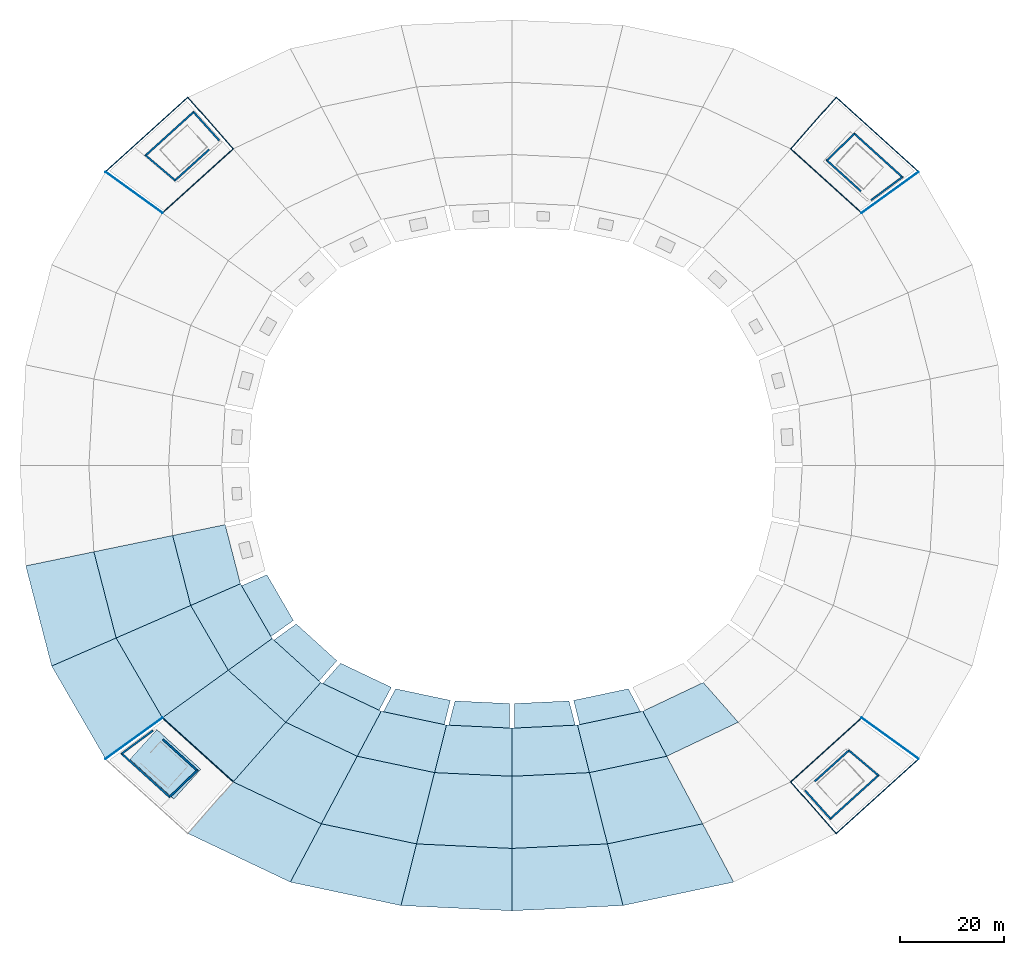
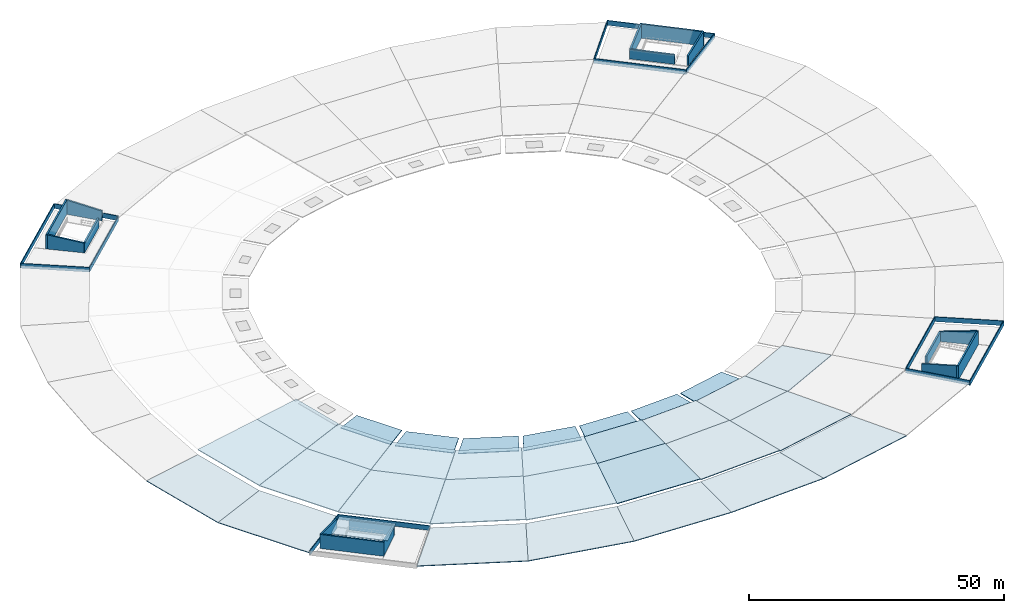
# One storey, part 2 of 5: 32 roofs, 30 walls.
"""IFC4 building model written with IfcOpenShell, lengths in metres."""

from ifc_helpers import new_model, si_unit, direction, frame, frame_2d, origin, place, context, subcontext, project, spatial, polyline, rectangle, outline, extrude, material, layer, layer_set, type_object, element, save


model = new_model("IFC4")

# Units and contexts
model_context = context("Model", 3, precision=1e-05, world=origin(), true_north=direction((0.0, 1.0)))
body_context = subcontext(model_context, "Body", "Model", "MODEL_VIEW")
ifc_project = project(units=[si_unit("LENGTHUNIT", "METRE"), si_unit("AREAUNIT", "SQUARE_METRE"), si_unit("VOLUMEUNIT", "CUBIC_METRE"), si_unit("PLANEANGLEUNIT", "RADIAN"), si_unit("MASSUNIT", "GRAM", prefix="KILO")], contexts=[model_context])

# Site, building, storey
site_placement = place(None, origin())
site = spatial("IfcSite", under=ifc_project, at=site_placement, CompositionType="ELEMENT")
building_placement = place(site_placement, origin())
building = spatial("IfcBuilding", under=site, at=building_placement, Name="Kazemori Nagisa Stadium", CompositionType="ELEMENT")
storey_placement = place(building_placement, frame((0.0, 0.0, 42.159912109375)))
storey = spatial("IfcBuildingStorey", under=building, at=storey_placement, Name="ROOF", CompositionType="ELEMENT", Elevation=42.159912109375)

# Walls
ifc_material_1 = material(Name="Concrete C40/50 (Fc42)", Category="concrete")
ifc_layer_1 = layer(ifc_material_1, 0.35009765625, Name="Concrete C40/50 (Fc42)", Category="concrete")
ifc_layer_set_1 = layer_set([ifc_layer_1], Name="Concrete C40/50 (Fc42)")
wall_type_1 = type_object("IfcWallType", Name="Wall_W-CORE-350", PredefinedType="SHEAR", material=ifc_layer_set_1)
wall_1_placement = place(storey_placement, frame((190.39453125, 154.92236328125, 0.0), z_axis=(0.0, 0.0, 1.0), x_axis=(-0.741350170539, 0.671118413279, 0.0)))
element("IfcWall", 1, at=wall_1_placement, inside=storey, type_object=wall_type_1, Name="Core stair front shear wall ST01 ROOF", PredefinedType="SHEAR", context=body_context, shape_type="SweptSolid", body=[
    extrude(rectangle(XDim=9.0693359375, YDim=0.35009765625, at=frame_2d((4.53466796875, 0.0))), origin(), (0.0, 0.0, 1.0), 2.2939453125),
])
wall_2_placement = place(storey_placement, frame((198.499267578125, 157.548095703125, 0.0), z_axis=(0.0, 0.0, 1.0), x_axis=(-0.741351373721, 0.671117084183, 0.0)))
element("IfcWall", 2, at=wall_2_placement, inside=storey, type_object=wall_type_1, Name="Core stair rear shear wall ST01 ROOF", PredefinedType="SHEAR", context=body_context, shape_type="SweptSolid", body=[
    extrude(rectangle(XDim=12.830322265625, YDim=0.35009765625, at=frame_2d((6.4150390625, 0.0))), origin(), (0.0, 0.0, 1.0), 3.360107421875),
])
wall_3_placement = place(storey_placement, frame((192.308837890625, 153.189453125, 0.0), z_axis=(0.0, 0.0, 1.0), x_axis=(0.804395625347, 0.594093997548, 0.0)))
element("IfcWall", 3, at=wall_3_placement, inside=storey, type_object=wall_type_1, Name="Core stair left shear wall ST01 ROOF", PredefinedType="SHEAR", context=body_context, shape_type="SweptSolid", body=[
    extrude(outline(polyline([(0.0, 0.0), (7.5341796875, 0.0), (7.5341796875, 3.360107421875), (7.18701171875, 3.360107421875), (0.0, 2.314697265625), (0.0, 0.0)])), frame((0.0, 0.175048828125, 0.0), z_axis=(0.0, -1.0, 0.0), x_axis=(1.0, 0.0, 0.0)), (0.0, 0.0, 1.0), 0.35009765625),
])
wall_4_placement = place(storey_placement, frame((183.800537109375, 160.8916015625, 0.0), z_axis=(0.0, 0.0, 1.0), x_axis=(0.718297398554, 0.69573619083, 0.0)))
element("IfcWall", 4, at=wall_4_placement, inside=storey, type_object=wall_type_1, Name="Core stair right shear wall ST01 ROOF", PredefinedType="SHEAR", context=body_context, shape_type="SweptSolid", body=[
    extrude(outline(polyline([(0.0, 0.0), (7.40185546875, 0.0), (7.40185546875, 3.360107421875), (7.037353515625, 3.360107421875), (0.0, 2.318115234375), (0.0, 0.0)])), frame((0.0, 0.175048828125, 0.0), z_axis=(0.0, -1.0, 0.0), x_axis=(1.0, 0.0, 0.0)), (0.0, 0.0, 1.0), 0.35009765625),
])
wall_5_placement = place(storey_placement, frame((64.539306640625, 163.009765625, 0.0), z_axis=(0.0, 0.0, 1.0), x_axis=(-0.741350170539, -0.671118413279, 0.0)))
element("IfcWall", 5, at=wall_5_placement, inside=storey, type_object=wall_type_1, Name="Core stair front shear wall ST02 ROOF", PredefinedType="SHEAR", context=body_context, shape_type="SweptSolid", body=[
    extrude(rectangle(XDim=9.0693359375, YDim=0.35009765625, at=frame_2d((4.53466796875, 0.0))), origin(), (0.0, 0.0, 1.0), 2.2939453125),
])
wall_6_placement = place(storey_placement, frame((61.638671875, 170.3466796875, 0.0), z_axis=(0.0, 0.0, 1.0), x_axis=(-0.741351373721, -0.671117084183, 0.0)))
element("IfcWall", 6, at=wall_6_placement, inside=storey, type_object=wall_type_1, Name="Core stair rear shear wall ST02 ROOF", PredefinedType="SHEAR", context=body_context, shape_type="SweptSolid", body=[
    extrude(rectangle(XDim=12.830322265625, YDim=0.35009765625, at=frame_2d((6.4150390625, 0.0))), origin(), (0.0, 0.0, 1.0), 3.360107421875),
])
wall_7_placement = place(storey_placement, frame((66.45361328125, 164.74267578125, 0.0), z_axis=(0.0, 0.0, 1.0), x_axis=(-0.669463145673, 0.742845270958, 0.0)))
element("IfcWall", 7, at=wall_7_placement, inside=storey, type_object=wall_type_1, Name="Core stair left shear wall ST02 ROOF", PredefinedType="SHEAR", context=body_context, shape_type="SweptSolid", body=[
    extrude(outline(polyline([(0.0, 0.0), (7.385986328125, 0.0), (7.385986328125, 3.360107421875), (7.01123046875, 3.360107421875), (0.0, 2.31982421875), (0.0, 0.0)])), frame((0.0, 0.175048828125, 0.0), z_axis=(0.0, -1.0, 0.0), x_axis=(1.0, 0.0, 0.0)), (0.0, 0.0, 1.0), 0.35009765625),
])
wall_8_placement = place(storey_placement, frame((57.9453125, 157.04052734375, 0.0), z_axis=(0.0, 0.0, 1.0), x_axis=(-0.763422324031, 0.64589964791, 0.0)))
element("IfcWall", 8, at=wall_8_placement, inside=storey, type_object=wall_type_1, Name="Core stair right shear wall ST02 ROOF", PredefinedType="SHEAR", context=body_context, shape_type="SweptSolid", body=[
    extrude(outline(polyline([(0.0, 0.0), (7.45166015625, 0.0), (7.45166015625, 3.360107421875), (7.096435546875, 3.360107421875), (0.0, 2.31640625), (0.0, 0.0)])), frame((0.0, 0.175048828125, 0.0), z_axis=(0.0, -1.0, 0.0), x_axis=(1.0, 0.0, 0.0)), (0.0, 0.0, 1.0), 0.35009765625),
])
wall_9_placement = place(storey_placement, frame((55.60546875, 49.07763671875, 0.0), z_axis=(0.0, 0.0, 1.0), x_axis=(0.741350170539, -0.671118413279, 0.0)))
element("IfcWall", 9, at=wall_9_placement, inside=storey, type_object=wall_type_1, Name="Core stair front shear wall ST03 ROOF", PredefinedType="SHEAR", context=body_context, shape_type="SweptSolid", body=[
    extrude(rectangle(XDim=9.0693359375, YDim=0.35009765625, at=frame_2d((4.53466796875, 0.0))), origin(), (0.0, 0.0, 1.0), 2.2939453125),
])
wall_10_placement = place(storey_placement, frame((47.500732421875, 46.451904296875, 0.0), z_axis=(0.0, 0.0, 1.0), x_axis=(0.741351373721, -0.671117084183, 0.0)))
element("IfcWall", 10, at=wall_10_placement, inside=storey, type_object=wall_type_1, Name="Core stair rear shear wall ST03 ROOF", PredefinedType="SHEAR", context=body_context, shape_type="SweptSolid", body=[
    extrude(rectangle(XDim=12.830322265625, YDim=0.35009765625, at=frame_2d((6.4150390625, 0.0))), origin(), (0.0, 0.0, 1.0), 3.360107421875),
])
wall_11_placement = place(storey_placement, frame((53.691162109375, 50.810546875, 0.0), z_axis=(0.0, 0.0, 1.0), x_axis=(-0.804395625347, -0.594093997548, 0.0)))
element("IfcWall", 11, at=wall_11_placement, inside=storey, type_object=wall_type_1, Name="Core stair left shear wall ST03 ROOF", PredefinedType="SHEAR", context=body_context, shape_type="SweptSolid", body=[
    extrude(outline(polyline([(0.0, 0.0), (7.5341796875, 0.0), (7.5341796875, 3.360107421875), (7.18701171875, 3.360107421875), (0.0, 2.314697265625), (0.0, 0.0)])), frame((0.0, 0.175048828125, 0.0), z_axis=(0.0, -1.0, 0.0), x_axis=(1.0, 0.0, 0.0)), (0.0, 0.0, 1.0), 0.35009765625),
])
wall_12_placement = place(storey_placement, frame((62.199462890625, 43.1083984375, 0.0), z_axis=(0.0, 0.0, 1.0), x_axis=(-0.718297398554, -0.69573619083, 0.0)))
element("IfcWall", 12, at=wall_12_placement, inside=storey, type_object=wall_type_1, Name="Core stair right shear wall ST03 ROOF", PredefinedType="SHEAR", context=body_context, shape_type="SweptSolid", body=[
    extrude(outline(polyline([(0.0, 0.0), (7.40185546875, 0.0), (7.40185546875, 3.360107421875), (7.037353515625, 3.360107421875), (0.0, 2.318115234375), (0.0, 0.0)])), frame((0.0, 0.175048828125, 0.0), z_axis=(0.0, -1.0, 0.0), x_axis=(1.0, 0.0, 0.0)), (0.0, 0.0, 1.0), 0.35009765625),
])
wall_13_placement = place(storey_placement, frame((181.460693359375, 40.990234375, 0.0), z_axis=(0.0, 0.0, 1.0), x_axis=(0.741350170539, 0.671118413279, 0.0)))
element("IfcWall", 13, at=wall_13_placement, inside=storey, type_object=wall_type_1, Name="Core stair front shear wall ST04 ROOF", PredefinedType="SHEAR", context=body_context, shape_type="SweptSolid", body=[
    extrude(rectangle(XDim=9.0693359375, YDim=0.35009765625, at=frame_2d((4.53466796875, 0.0))), origin(), (0.0, 0.0, 1.0), 2.2939453125),
])
wall_14_placement = place(storey_placement, frame((184.361328125, 33.6533203125, 0.0), z_axis=(0.0, 0.0, 1.0), x_axis=(0.741351373721, 0.671117084183, 0.0)))
element("IfcWall", 14, at=wall_14_placement, inside=storey, type_object=wall_type_1, Name="Core stair rear shear wall ST04 ROOF", PredefinedType="SHEAR", context=body_context, shape_type="SweptSolid", body=[
    extrude(rectangle(XDim=12.830322265625, YDim=0.35009765625, at=frame_2d((6.4150390625, 0.0))), origin(), (0.0, 0.0, 1.0), 3.360107421875),
])
wall_15_placement = place(storey_placement, frame((179.54638671875, 39.25732421875, 0.0), z_axis=(0.0, 0.0, 1.0), x_axis=(0.669463145673, -0.742845270958, 0.0)))
element("IfcWall", 15, at=wall_15_placement, inside=storey, type_object=wall_type_1, Name="Core stair left shear wall ST04 ROOF", PredefinedType="SHEAR", context=body_context, shape_type="SweptSolid", body=[
    extrude(outline(polyline([(0.0, 0.0), (7.385986328125, 0.0), (7.385986328125, 3.360107421875), (7.01123046875, 3.360107421875), (0.0, 2.31982421875), (0.0, 0.0)])), frame((0.0, 0.175048828125, 0.0), z_axis=(0.0, -1.0, 0.0), x_axis=(1.0, 0.0, 0.0)), (0.0, 0.0, 1.0), 0.35009765625),
])
wall_16_placement = place(storey_placement, frame((188.0546875, 46.95947265625, 0.0), z_axis=(0.0, 0.0, 1.0), x_axis=(0.763422324031, -0.64589964791, 0.0)))
element("IfcWall", 16, at=wall_16_placement, inside=storey, type_object=wall_type_1, Name="Core stair right shear wall ST04 ROOF", PredefinedType="SHEAR", context=body_context, shape_type="SweptSolid", body=[
    extrude(outline(polyline([(0.0, 0.0), (7.45166015625, 0.0), (7.45166015625, 3.360107421875), (7.096435546875, 3.360107421875), (0.0, 2.31640625), (0.0, 0.0)])), frame((0.0, 0.175048828125, 0.0), z_axis=(0.0, -1.0, 0.0), x_axis=(1.0, 0.0, 0.0)), (0.0, 0.0, 1.0), 0.35009765625),
])
ifc_material_2 = material(Name="Concrete C40/50 (Fc42) precast", Category="concrete")
ifc_layer_2 = layer(ifc_material_2, 0.14990234375, Name="Concrete C40/50 (Fc42) precast", Category="concrete")
ifc_layer_set_2 = layer_set([ifc_layer_2], Name="Concrete C40/50 (Fc42) precast")
wall_type_2 = type_object("IfcWallType", Name="Wall_W-PARA-150", PredefinedType="PARAPET", material=ifc_layer_set_2)
wall_17_placement = place(storey_placement, frame((190.506103515625, 150.734130859375, 0.0), z_axis=(0.0, 0.0, 1.0), x_axis=(0.810787509935, 0.585340596349, 0.0)))
element("IfcWall", 17, at=wall_17_placement, inside=storey, type_object=wall_type_2, Name="Headhouse roof parapet RF-B04-L", PredefinedType="PARAPET", context=body_context, shape_type="SweptSolid", body=[
    extrude(rectangle(XDim=13.5537109375, YDim=0.14990234375, at=frame_2d((6.77685546875, 0.0))), origin(), (0.0, 0.0, 1.0), 1.1201171875),
])
for number, where, z_axis, x_axis, name in (
    (18, (176.834228515625, 163.11083984375, 0.0), (0.0, 0.0, 1.0), (0.661019680997, 0.750368563664, 0.0), "Headhouse roof parapet RF-B04-R"),
    (19, (69.165771484375, 163.11083984375, 0.0), (0.0, 0.0, 1.0), (-0.661019680997, 0.750368563664, 0.0), "Headhouse roof parapet RF-B11-L"),
):
    element("IfcWall", number, at=place(storey_placement, frame(where, z_axis=z_axis, x_axis=x_axis)), inside=storey, type_object=wall_type_2, Name=name, PredefinedType="PARAPET", context=body_context, shape_type="SweptSolid", body=[
        extrude(rectangle(XDim=13.2578125, YDim=0.14990234375, at=frame_2d((6.62890625, 0.0))), origin(), (0.0, 0.0, 1.0), 1.1201171875),
    ])
for number, where, z_axis, x_axis, name in (
    (20, (55.493896484375, 150.734130859375, 0.0), (0.0, 0.0, 1.0), (-0.810787509935, 0.585340596349, 0.0), "Headhouse roof parapet RF-B11-R"),
    (21, (55.493896484375, 53.265869140625, 0.0), (0.0, 0.0, 1.0), (-0.810787509935, -0.585340596349, 0.0), "Headhouse roof parapet RF-B18-L"),
):
    element("IfcWall", number, at=place(storey_placement, frame(where, z_axis=z_axis, x_axis=x_axis)), inside=storey, type_object=wall_type_2, Name=name, PredefinedType="PARAPET", context=body_context, shape_type="SweptSolid", body=[
        extrude(rectangle(XDim=13.5537109375, YDim=0.14990234375, at=frame_2d((6.77685546875, 0.0))), origin(), (0.0, 0.0, 1.0), 1.1201171875),
    ])
wall_18_placement = place(storey_placement, frame((176.834228515625, 40.88916015625, 0.0), z_axis=(0.0, 0.0, 1.0), x_axis=(0.661019680997, -0.750368563664, 0.0)))
element("IfcWall", 22, at=wall_18_placement, inside=storey, type_object=wall_type_2, Name="Headhouse roof parapet RF-B25-L", PredefinedType="PARAPET", context=body_context, shape_type="SweptSolid", body=[
    extrude(rectangle(XDim=13.2578125, YDim=0.14990234375, at=frame_2d((6.62890625, 0.0))), origin(), (0.0, 0.0, 1.0), 1.1201171875),
])
wall_19_placement = place(storey_placement, frame((190.506103515625, 53.265869140625, 0.0), z_axis=(0.0, 0.0, 1.0), x_axis=(0.810787509935, -0.585340596349, 0.0)))
element("IfcWall", 23, at=wall_19_placement, inside=storey, type_object=wall_type_2, Name="Headhouse roof parapet RF-B25-R", PredefinedType="PARAPET", context=body_context, shape_type="SweptSolid", body=[
    extrude(rectangle(XDim=13.5537109375, YDim=0.14990234375, at=frame_2d((6.77685546875, 0.0))), origin(), (0.0, 0.0, 1.0), 1.1201171875),
])
ifc_layer_3 = layer(ifc_material_2, 0.179931640625, Name="Concrete C40/50 (Fc42) precast", Category="concrete")
ifc_layer_set_3 = layer_set([ifc_layer_3], Name="Concrete C40/50 (Fc42) precast")
wall_type_3 = type_object("IfcWallType", Name="Wall_W-PARA-180", PredefinedType="PARAPET", material=ifc_layer_set_3)
wall_20_placement = place(storey_placement, frame((190.5615234375, 150.683837890625, 0.0), z_axis=(0.0, 0.0, 1.0), x_axis=(-0.741342553753, 0.671126827057, 0.0)))
element("IfcWall", 24, at=wall_20_placement, inside=storey, type_object=wall_type_3, Name="Headhouse roof parapet RF-B04-in", PredefinedType="PARAPET", context=body_context, shape_type="SweptSolid", body=[
    extrude(rectangle(XDim=18.591552734375, YDim=0.179931640625, at=frame_2d((9.2958984375, 0.0))), origin(), (0.0, 0.0, 1.0), 1.1201171875),
])
wall_21_placement = place(storey_placement, frame((201.551025390625, 158.6171875, 0.0), z_axis=(0.0, 0.0, 1.0), x_axis=(-0.741345309514, 0.671123782965, 0.0)))
element("IfcWall", 25, at=wall_21_placement, inside=storey, type_object=wall_type_3, Name="Headhouse roof parapet RF-B04-out", PredefinedType="PARAPET", context=body_context, shape_type="SweptSolid", body=[
    extrude(rectangle(XDim=21.593994140625, YDim=0.179931640625, at=frame_2d((10.796875, 0.0))), origin(), (0.0, 0.0, 1.0), 1.1201171875),
])
wall_22_placement = place(storey_placement, frame((69.22119140625, 163.1611328125, 0.0), z_axis=(0.0, 0.0, 1.0), x_axis=(-0.741342553753, -0.671126827057, 0.0)))
element("IfcWall", 26, at=wall_22_placement, inside=storey, type_object=wall_type_3, Name="Headhouse roof parapet RF-B11-in", PredefinedType="PARAPET", context=body_context, shape_type="SweptSolid", body=[
    extrude(rectangle(XDim=18.591552734375, YDim=0.179931640625, at=frame_2d((9.2958984375, 0.0))), origin(), (0.0, 0.0, 1.0), 1.1201171875),
])
wall_23_placement = place(storey_placement, frame((60.45751953125, 173.109375, 0.0), z_axis=(0.0, 0.0, 1.0), x_axis=(-0.741345309514, -0.671123782965, 0.0)))
element("IfcWall", 27, at=wall_23_placement, inside=storey, type_object=wall_type_3, Name="Headhouse roof parapet RF-B11-out", PredefinedType="PARAPET", context=body_context, shape_type="SweptSolid", body=[
    extrude(rectangle(XDim=21.593994140625, YDim=0.179931640625, at=frame_2d((10.796875, 0.0))), origin(), (0.0, 0.0, 1.0), 1.1201171875),
])
for number, where, z_axis, x_axis, name in (
    (28, (55.4384765625, 53.316162109375, 0.0), (0.0, 0.0, 1.0), (0.741342553753, -0.671126827057, 0.0), "Headhouse roof parapet RF-B18-in"),
    (29, (176.77880859375, 40.8388671875, 0.0), (0.0, 0.0, 1.0), (0.741342553753, 0.671126827057, 0.0), "Headhouse roof parapet RF-B25-in"),
):
    element("IfcWall", number, at=place(storey_placement, frame(where, z_axis=z_axis, x_axis=x_axis)), inside=storey, type_object=wall_type_3, Name=name, PredefinedType="PARAPET", context=body_context, shape_type="SweptSolid", body=[
        extrude(rectangle(XDim=18.591552734375, YDim=0.179931640625, at=frame_2d((9.2958984375, 0.0))), origin(), (0.0, 0.0, 1.0), 1.1201171875),
    ])
wall_24_placement = place(storey_placement, frame((185.54248046875, 30.890625, 0.0), z_axis=(0.0, 0.0, 1.0), x_axis=(0.741345309514, 0.671123782965, 0.0)))
element("IfcWall", 30, at=wall_24_placement, inside=storey, type_object=wall_type_3, Name="Headhouse roof parapet RF-B25-out", PredefinedType="PARAPET", context=body_context, shape_type="SweptSolid", body=[
    extrude(rectangle(XDim=21.593994140625, YDim=0.179931640625, at=frame_2d((10.796875, 0.0))), origin(), (0.0, 0.0, 1.0), 1.1201171875),
])

# Roofs
ifc_material_3 = material(Name="Steel S355 (SN490B)", Category="steel")
ifc_layer_4 = layer(ifc_material_3, 0.159912109375, Name="Steel S355 (SN490B)", Category="steel")
ifc_layer_set_4 = layer_set([ifc_layer_4], Name="Steel S355 (SN490B)")
roof_type = type_object("IfcRoofType", Name="Roof_RF-CANOPY", PredefinedType="FREEFORM", material=ifc_layer_set_4)
roof_1_placement = place(storey_placement, frame((54.43017578125, 50.991455078125, 2.39013671875), z_axis=(0.098497799083, 0.108806528187, 0.989171028185), x_axis=(0.741358588876, -0.671109113854, -1.149066e-06)))
element("IfcRoof", 31, at=roof_1_placement, inside=storey, type_object=roof_type, Name="Stair headhouse pitched roof ROOF-B18", PredefinedType="FREEFORM", context=body_context, shape_type="SweptSolid", body=[
    extrude(outline(polyline([(0.0, 0.0), (11.4338207163621, 0.0), (11.433814147982389, -7.834950317376819), (-0.00017041337820971537, -7.834771281597817), (0.0, 0.0)])), origin(), (0.0, 0.0, -1.0), 0.159912109375),
])
roof_2_placement = place(storey_placement, frame((0.0, 0.0, 0.43505859375)))
element("IfcRoof", 32, at=roof_2_placement, inside=storey, type_object=roof_type, Name="Canopy roof deck sector B16-outer", PredefinedType="FREEFORM", context=body_context, shape_type="SweptSolid", body=[
    extrude(outline(polyline([(29.119140625, 82.602294921875), (34.114990234375, 63.25048828125), (46.55908203125, 68.67529296875), (42.262451171875, 85.31787109375), (29.119140625, 82.602294921875)])), origin(), (0.0, 0.0, 1.0), 0.159912109375),
])
roof_3_placement = place(storey_placement, frame((0.0, 0.0, 1.68701171875)))
element("IfcRoof", 33, at=roof_3_placement, inside=storey, type_object=roof_type, Name="Canopy roof deck sector B16-mid", PredefinedType="FREEFORM", context=body_context, shape_type="SweptSolid", body=[
    extrude(outline(polyline([(42.262451171875, 85.31787109375), (46.55908203125, 68.67529296875), (60.958251953125, 74.952880859375), (57.47119140625, 88.46044921875), (42.262451171875, 85.31787109375)])), origin(), (0.0, 0.0, 1.0), 0.16015625),
])
roof_4_placement = place(storey_placement, frame((0.0, 0.0, 1.68701171875)))
element("IfcRoof", 34, at=roof_4_placement, inside=storey, type_object=roof_type, Name="Canopy roof deck sector B16-inner", PredefinedType="FREEFORM", context=body_context, shape_type="SweptSolid", body=[
    extrude(outline(polyline([(57.47119140625, 88.46044921875), (60.958251953125, 74.952880859375), (70.557861328125, 79.1376953125), (67.6103515625, 90.555419921875), (57.47119140625, 88.46044921875)])), origin(), (0.0, 0.0, 1.0), 0.16015625),
])
roof_5_placement = place(storey_placement, frame((0.0, 0.0, 0.43505859375)))
element("IfcRoof", 35, at=roof_5_placement, inside=storey, type_object=roof_type, Name="Canopy roof deck sector B17-outer", PredefinedType="FREEFORM", context=body_context, shape_type="SweptSolid", body=[
    extrude(outline(polyline([(34.114990234375, 63.25048828125), (44.504638671875, 45.332275390625), (55.493896484375, 53.265869140625), (46.55908203125, 68.67529296875), (34.114990234375, 63.25048828125)])), origin(), (0.0, 0.0, 1.0), 0.159912109375),
])
roof_6_placement = place(storey_placement, frame((0.0, 0.0, 1.633056640625)))
element("IfcRoof", 36, at=roof_6_placement, inside=storey, type_object=roof_type, Name="Canopy roof deck sector B17-mid", PredefinedType="FREEFORM", context=body_context, shape_type="SweptSolid", body=[
    extrude(outline(polyline([(46.55908203125, 68.67529296875), (55.493896484375, 53.265869140625), (68.210205078125, 62.446044921875), (60.958251953125, 74.952880859375), (46.55908203125, 68.67529296875)])), origin(), (0.0, 0.0, 1.0), 0.159912109375),
])
roof_7_placement = place(storey_placement, frame((0.0, 0.0, 1.633056640625)))
element("IfcRoof", 37, at=roof_7_placement, inside=storey, type_object=roof_type, Name="Canopy roof deck sector B17-inner", PredefinedType="FREEFORM", context=body_context, shape_type="SweptSolid", body=[
    extrude(outline(polyline([(60.958251953125, 74.952880859375), (68.210205078125, 62.446044921875), (76.687744140625, 68.566162109375), (70.557861328125, 79.1376953125), (60.958251953125, 74.952880859375)])), origin(), (0.0, 0.0, 1.0), 0.159912109375),
])
roof_8_placement = place(storey_placement, frame((0.0, 0.0, 0.841064453125)))
element("IfcRoof", 38, at=roof_8_placement, inside=storey, type_object=roof_type, Name="Canopy oculus roof deck B17", PredefinedType="FREEFORM", context=body_context, shape_type="SweptSolid", body=[
    extrude(outline(polyline([(75.67236328125, 80.879638671875), (80.779296875, 72.072021484375), (76.4619140625, 68.955322265625), (70.78369140625, 78.74853515625), (75.67236328125, 80.879638671875)])), origin(), (0.0, 0.0, 1.0), 0.159912109375),
])
roof_9_placement = place(storey_placement, frame((0.0, 0.0, 1.547119140625)))
element("IfcRoof", 39, at=roof_9_placement, inside=storey, type_object=roof_type, Name="Canopy roof deck sector B18-mid", PredefinedType="FREEFORM", context=body_context, shape_type="SweptSolid", body=[
    extrude(outline(polyline([(55.493896484375, 53.265869140625), (69.165771484375, 40.88916015625), (79.306640625, 52.40087890625), (68.210205078125, 62.446044921875), (55.493896484375, 53.265869140625)])), origin(), (0.0, 0.0, 1.0), 0.159912109375),
])
roof_10_placement = place(storey_placement, frame((0.0, 0.0, 1.547119140625)))
element("IfcRoof", 40, at=roof_10_placement, inside=storey, type_object=roof_type, Name="Canopy roof deck sector B18-inner", PredefinedType="FREEFORM", context=body_context, shape_type="SweptSolid", body=[
    extrude(outline(polyline([(68.210205078125, 62.446044921875), (79.306640625, 52.40087890625), (86.067138671875, 60.0751953125), (76.687744140625, 68.566162109375), (68.210205078125, 62.446044921875)])), origin(), (0.0, 0.0, 1.0), 0.159912109375),
])
roof_11_placement = place(storey_placement, frame((0.0, 0.0, 0.76318359375)))
element("IfcRoof", 41, at=roof_11_placement, inside=storey, type_object=roof_type, Name="Canopy oculus roof deck B18", PredefinedType="FREEFORM", context=body_context, shape_type="SweptSolid", body=[
    extrude(outline(polyline([(81.338623046875, 71.380859375), (89.176513671875, 64.285400390625), (85.733642578125, 60.377197265625), (77.021240234375, 68.26416015625), (81.338623046875, 71.380859375)])), origin(), (0.0, 0.0, 1.0), 0.159912109375),
])
roof_12_placement = place(storey_placement, frame((0.0, 0.0, 0.43505859375)))
element("IfcRoof", 42, at=roof_12_placement, inside=storey, type_object=roof_type, Name="Canopy roof deck sector B19-outer", PredefinedType="FREEFORM", context=body_context, shape_type="SweptSolid", body=[
    extrude(outline(polyline([(60.402099609375, 30.94091796875), (80.1953125, 21.53564453125), (86.18798828125, 32.80078125), (69.165771484375, 40.88916015625), (60.402099609375, 30.94091796875)])), origin(), (0.0, 0.0, 1.0), 0.159912109375),
])
roof_13_placement = place(storey_placement, frame((0.0, 0.0, 1.43212890625)))
element("IfcRoof", 43, at=roof_13_placement, inside=storey, type_object=roof_type, Name="Canopy roof deck sector B19-mid", PredefinedType="FREEFORM", context=body_context, shape_type="SweptSolid", body=[
    extrude(outline(polyline([(69.165771484375, 40.88916015625), (86.18798828125, 32.80078125), (93.122314453125, 45.8359375), (79.306640625, 52.40087890625), (69.165771484375, 40.88916015625)])), origin(), (0.0, 0.0, 1.0), 0.159912109375),
])
roof_14_placement = place(storey_placement, frame((0.0, 0.0, 1.43212890625)))
element("IfcRoof", 44, at=roof_14_placement, inside=storey, type_object=roof_type, Name="Canopy roof deck sector B19-inner", PredefinedType="FREEFORM", context=body_context, shape_type="SweptSolid", body=[
    extrude(outline(polyline([(79.306640625, 52.40087890625), (93.122314453125, 45.8359375), (97.7451171875, 54.526123046875), (86.067138671875, 60.0751953125), (79.306640625, 52.40087890625)])), origin(), (0.0, 0.0, 1.0), 0.159912109375),
])
roof_15_placement = place(storey_placement, frame((0.0, 0.0, 0.66015625)))
element("IfcRoof", 45, at=roof_15_placement, inside=storey, type_object=roof_type, Name="Canopy oculus roof deck B19", PredefinedType="FREEFORM", context=body_context, shape_type="SweptSolid", body=[
    extrude(outline(polyline([(89.91650390625, 63.790283203125), (99.693115234375, 59.144775390625), (97.3388671875, 54.71923828125), (86.4736328125, 59.882080078125), (89.91650390625, 63.790283203125)])), origin(), (0.0, 0.0, 1.0), 0.159912109375),
])
roof_16_placement = place(storey_placement, frame((0.0, 0.0, 0.43505859375)))
element("IfcRoof", 46, at=roof_16_placement, inside=storey, type_object=roof_type, Name="Canopy roof deck sector B20-outer", PredefinedType="FREEFORM", context=body_context, shape_type="SweptSolid", body=[
    extrude(outline(polyline([(80.1953125, 21.53564453125), (101.572265625, 17.01318359375), (104.572265625, 28.911376953125), (86.18798828125, 32.80078125), (80.1953125, 21.53564453125)])), origin(), (0.0, 0.0, 1.0), 0.159912109375),
])
roof_17_placement = place(storey_placement, frame((0.0, 0.0, 1.295166015625)))
element("IfcRoof", 47, at=roof_17_placement, inside=storey, type_object=roof_type, Name="Canopy roof deck sector B20-mid", PredefinedType="FREEFORM", context=body_context, shape_type="SweptSolid", body=[
    extrude(outline(polyline([(86.18798828125, 32.80078125), (104.572265625, 28.911376953125), (108.04345703125, 42.67919921875), (93.122314453125, 45.8359375), (86.18798828125, 32.80078125)])), origin(), (0.0, 0.0, 1.0), 0.159912109375),
])
roof_18_placement = place(storey_placement, frame((0.0, 0.0, 1.295166015625)))
element("IfcRoof", 48, at=roof_18_placement, inside=storey, type_object=roof_type, Name="Canopy roof deck sector B20-inner", PredefinedType="FREEFORM", context=body_context, shape_type="SweptSolid", body=[
    extrude(outline(polyline([(93.122314453125, 45.8359375), (108.04345703125, 42.67919921875), (110.357666015625, 51.857666015625), (97.7451171875, 54.526123046875), (93.122314453125, 45.8359375)])), origin(), (0.0, 0.0, 1.0), 0.159912109375),
])
roof_19_placement = place(storey_placement, frame((0.0, 0.0, 0.537109375)))
element("IfcRoof", 49, at=roof_19_placement, inside=storey, type_object=roof_type, Name="Canopy oculus roof deck B20", PredefinedType="FREEFORM", context=body_context, shape_type="SweptSolid", body=[
    extrude(outline(polyline([(100.539794921875, 58.8583984375), (111.095947265625, 56.625244140625), (109.91748046875, 51.950927734375), (98.185546875, 54.432861328125), (100.539794921875, 58.8583984375)])), origin(), (0.0, 0.0, 1.0), 0.159912109375),
])
roof_20_placement = place(storey_placement, frame((0.0, 0.0, 0.43505859375)))
element("IfcRoof", 50, at=roof_20_placement, inside=storey, type_object=roof_type, Name="Canopy roof deck sector B21-outer", PredefinedType="FREEFORM", context=body_context, shape_type="SweptSolid", body=[
    extrude(outline(polyline([(101.572265625, 17.01318359375), (123.0, 16.0), (123.0, 28.0400390625), (104.572265625, 28.911376953125), (101.572265625, 17.01318359375)])), origin(), (0.0, 0.0, 1.0), 0.159912109375),
])
roof_21_placement = place(storey_placement, frame((0.0, 0.0, 1.14111328125)))
element("IfcRoof", 51, at=roof_21_placement, inside=storey, type_object=roof_type, Name="Canopy roof deck sector B21-mid", PredefinedType="FREEFORM", context=body_context, shape_type="SweptSolid", body=[
    extrude(outline(polyline([(104.572265625, 28.911376953125), (123.0, 28.0400390625), (123.0, 41.971923828125), (108.04345703125, 42.67919921875), (104.572265625, 28.911376953125)])), origin(), (0.0, 0.0, 1.0), 0.159912109375),
])
roof_22_placement = place(storey_placement, frame((0.0, 0.0, 1.14111328125)))
element("IfcRoof", 52, at=roof_22_placement, inside=storey, type_object=roof_type, Name="Canopy roof deck sector B21-inner", PredefinedType="FREEFORM", context=body_context, shape_type="SweptSolid", body=[
    extrude(outline(polyline([(108.04345703125, 42.67919921875), (123.0, 41.971923828125), (123.0, 51.260009765625), (110.357666015625, 51.857666015625), (108.04345703125, 42.67919921875)])), origin(), (0.0, 0.0, 1.0), 0.159912109375),
])
roof_23_placement = place(storey_placement, frame((0.0, 0.0, 0.400146484375)))
element("IfcRoof", 53, at=roof_23_placement, inside=storey, type_object=roof_type, Name="Canopy oculus roof deck B21", PredefinedType="FREEFORM", context=body_context, shape_type="SweptSolid", body=[
    extrude(outline(polyline([(111.985595703125, 56.5107421875), (122.550537109375, 56.01123046875), (122.550537109375, 51.28125), (110.80712890625, 51.83642578125), (111.985595703125, 56.5107421875)])), origin(), (0.0, 0.0, 1.0), 0.159912109375),
])
roof_24_placement = place(storey_placement, frame((0.0, 0.0, 0.43505859375)))
element("IfcRoof", 54, at=roof_24_placement, inside=storey, type_object=roof_type, Name="Canopy roof deck sector B22-outer", PredefinedType="FREEFORM", context=body_context, shape_type="SweptSolid", body=[
    extrude(outline(polyline([(123.0, 16.0), (144.427734375, 17.01318359375), (141.427734375, 28.911376953125), (123.0, 28.0400390625), (123.0, 16.0)])), origin(), (0.0, 0.0, 1.0), 0.159912109375),
])
roof_25_placement = place(storey_placement, frame((0.0, 0.0, 0.97998046875)))
element("IfcRoof", 55, at=roof_25_placement, inside=storey, type_object=roof_type, Name="Canopy roof deck sector B22-mid", PredefinedType="FREEFORM", context=body_context, shape_type="SweptSolid", body=[
    extrude(outline(polyline([(123.0, 28.0400390625), (141.427734375, 28.911376953125), (137.95654296875, 42.67919921875), (123.0, 41.971923828125), (123.0, 28.0400390625)])), origin(), (0.0, 0.0, 1.0), 0.16015625),
])
roof_26_placement = place(storey_placement, frame((0.0, 0.0, 0.97998046875)))
element("IfcRoof", 56, at=roof_26_placement, inside=storey, type_object=roof_type, Name="Canopy roof deck sector B22-inner", PredefinedType="FREEFORM", context=body_context, shape_type="SweptSolid", body=[
    extrude(outline(polyline([(123.0, 41.971923828125), (137.95654296875, 42.67919921875), (135.642333984375, 51.857666015625), (123.0, 51.260009765625), (123.0, 41.971923828125)])), origin(), (0.0, 0.0, 1.0), 0.16015625),
])
roof_27_placement = place(storey_placement, frame((0.0, 0.0, 0.255126953125)))
element("IfcRoof", 57, at=roof_27_placement, inside=storey, type_object=roof_type, Name="Canopy oculus roof deck B22", PredefinedType="FREEFORM", context=body_context, shape_type="SweptSolid", body=[
    extrude(outline(polyline([(123.449462890625, 56.01123046875), (134.014404296875, 56.5107421875), (135.19287109375, 51.83642578125), (123.449462890625, 51.28125), (123.449462890625, 56.01123046875)])), origin(), (0.0, 0.0, 1.0), 0.159912109375),
])
roof_28_placement = place(storey_placement, frame((0.0, 0.0, 0.43505859375)))
element("IfcRoof", 58, at=roof_28_placement, inside=storey, type_object=roof_type, Name="Canopy roof deck sector B23-outer", PredefinedType="FREEFORM", context=body_context, shape_type="SweptSolid", body=[
    extrude(outline(polyline([(144.427734375, 17.01318359375), (165.8046875, 21.53564453125), (159.81201171875, 32.80078125), (141.427734375, 28.911376953125), (144.427734375, 17.01318359375)])), origin(), (0.0, 0.0, 1.0), 0.159912109375),
])
roof_29_placement = place(storey_placement, frame((0.0, 0.0, 0.819091796875)))
element("IfcRoof", 59, at=roof_29_placement, inside=storey, type_object=roof_type, Name="Canopy roof deck sector B23-mid", PredefinedType="FREEFORM", context=body_context, shape_type="SweptSolid", body=[
    extrude(outline(polyline([(141.427734375, 28.911376953125), (159.81201171875, 32.80078125), (152.877685546875, 45.8359375), (137.95654296875, 42.67919921875), (141.427734375, 28.911376953125)])), origin(), (0.0, 0.0, 1.0), 0.159912109375),
])
roof_30_placement = place(storey_placement, frame((0.0, 0.0, 0.819091796875)))
element("IfcRoof", 60, at=roof_30_placement, inside=storey, type_object=roof_type, Name="Canopy roof deck sector B23-inner", PredefinedType="FREEFORM", context=body_context, shape_type="SweptSolid", body=[
    extrude(outline(polyline([(137.95654296875, 42.67919921875), (152.877685546875, 45.8359375), (148.2548828125, 54.526123046875), (135.642333984375, 51.857666015625), (137.95654296875, 42.67919921875)])), origin(), (0.0, 0.0, 1.0), 0.159912109375),
])
roof_31_placement = place(storey_placement, frame((0.0, 0.0, 0.110107421875)))
element("IfcRoof", 61, at=roof_31_placement, inside=storey, type_object=roof_type, Name="Canopy oculus roof deck B23", PredefinedType="FREEFORM", context=body_context, shape_type="SweptSolid", body=[
    extrude(outline(polyline([(134.904052734375, 56.625244140625), (145.460205078125, 58.8583984375), (147.814453125, 54.432861328125), (136.08251953125, 51.950927734375), (134.904052734375, 56.625244140625)])), origin(), (0.0, 0.0, 1.0), 0.159912109375),
])
roof_32_placement = place(storey_placement, frame((0.0, 0.0, 0.6650390625)))
element("IfcRoof", 62, at=roof_32_placement, inside=storey, type_object=roof_type, Name="Canopy roof deck sector B24-inner", PredefinedType="FREEFORM", context=body_context, shape_type="SweptSolid", body=[
    extrude(outline(polyline([(152.877685546875, 45.8359375), (166.693359375, 52.40087890625), (159.932861328125, 60.0751953125), (148.2548828125, 54.526123046875), (152.877685546875, 45.8359375)])), origin(), (0.0, 0.0, 1.0), 0.16015625),
])

save(model, "model.ifc")
